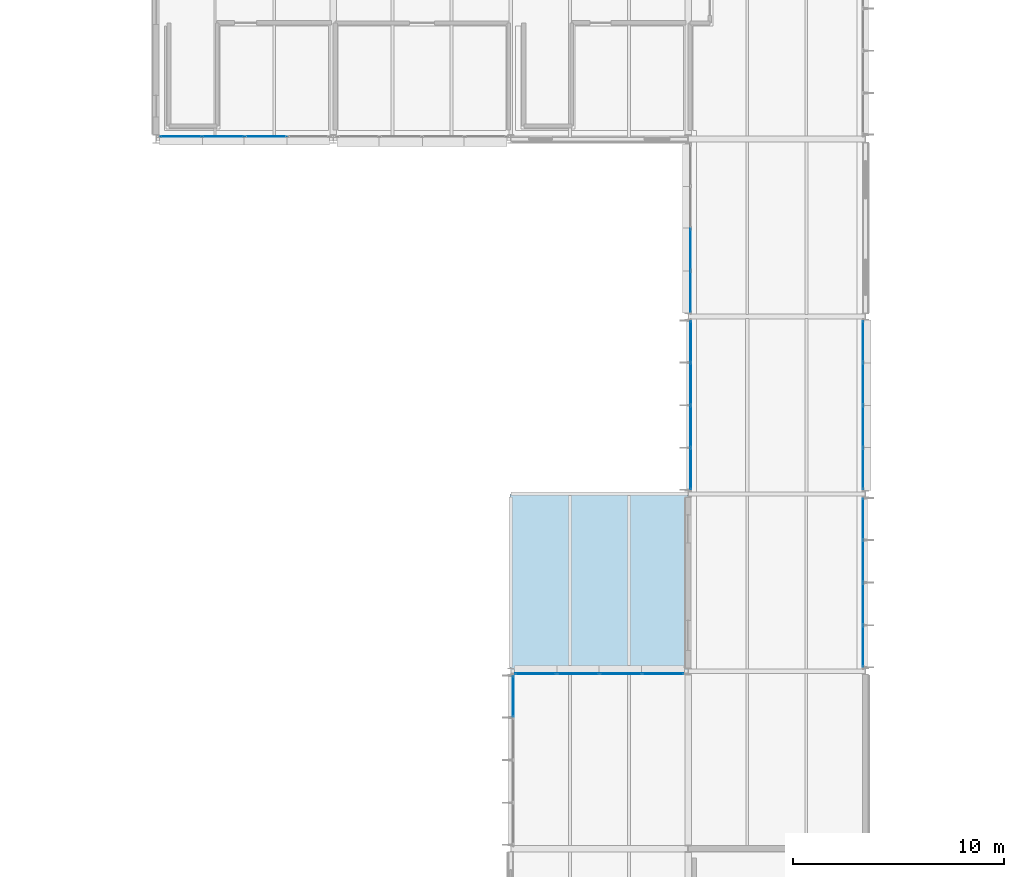
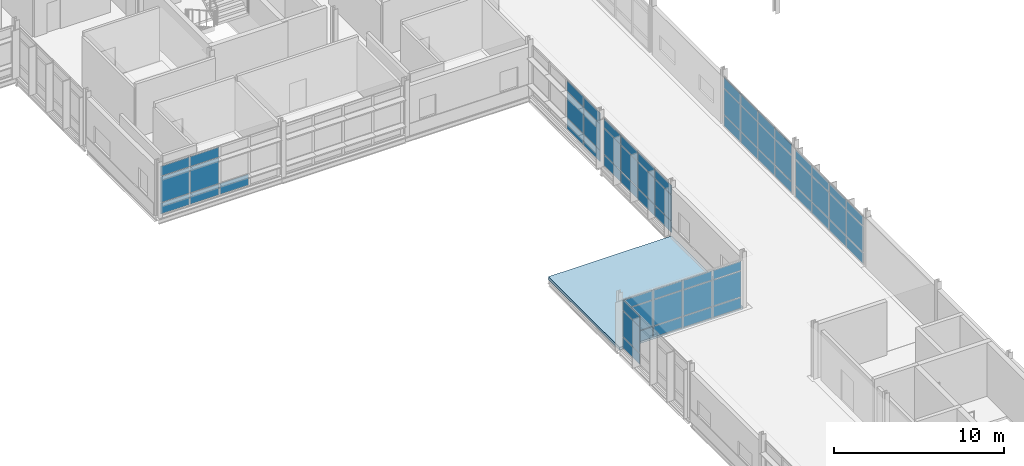
# One storey, part 48 of 66: 64 plates, 1 slab, 7 elements without a shape of their own.
"""IFC4 building model written with IfcOpenShell, lengths in metres."""

from ifc_helpers import new_model, si_unit, direction, frame, origin, origin_2d, place, context, subcontext, project, spatial, polyline, rectangle, outline, extrude, material, layer, layer_set, type_object, element, aggregate, save


model = new_model("IFC4")

# Units and contexts
model_context = context("Model", 3, precision=1e-05, world=origin(), true_north=direction((0.0, 1.0)))
body_context = subcontext(model_context, "Body", "Model", "MODEL_VIEW")
ifc_project = project(units=[si_unit("LENGTHUNIT", "METRE"), si_unit("AREAUNIT", "SQUARE_METRE"), si_unit("VOLUMEUNIT", "CUBIC_METRE"), si_unit("PLANEANGLEUNIT", "RADIAN"), si_unit("MASSUNIT", "GRAM", prefix="KILO")], contexts=[model_context])

# Site, building, storey
site_placement = place(None, origin())
site = spatial("IfcSite", under=ifc_project, at=site_placement, CompositionType="ELEMENT")
building_placement = place(site_placement, origin())
building = spatial("IfcBuilding", under=site, at=building_placement, Name="Mersafa Astral City Hall", CompositionType="ELEMENT")
storey_placement = place(building_placement, frame((0.0, 0.0, 22.050048828125)))
storey = spatial("IfcBuildingStorey", under=building, at=storey_placement, Name="L05", CompositionType="ELEMENT", Elevation=22.050048828125)

# Curtain wall, plates
ifc_material_1 = material(Name="Anodised bronze aluminium framing", Category="aluminium")
curtain_wall_type_1 = type_object("IfcCurtainWallType", Name="ENV-CW-3", PredefinedType="USERDEFINED", material=ifc_material_1)
curtain_wall_1_placement = place(storey_placement, origin())
curtain_wall_1 = element("IfcCurtainWall", 1, at=curtain_wall_1_placement, inside=storey, type_object=curtain_wall_type_1, Name="L05 Unitised solar curtain wall 248", ObjectType="UNITISED CURTAIN WALL", PredefinedType="USERDEFINED")
ifc_material_2 = material(Name="Solar control low-e double glazing", Category="glass")
ifc_layer_1 = layer(ifc_material_2, 0.028076171875, Name="Solar control low-e double glazing")
ifc_layer_set_1 = layer_set([ifc_layer_1], Name="Solar control low-e double glazing — ENV-CW-PNL-GLZ-1")
plate_type_1 = type_object("IfcPlateType", Name="ENV-CW-PNL-GLZ-1", PredefinedType="CURTAIN_PANEL", material=ifc_layer_set_1)
plate_1_placement = place(storey_placement, frame((159.719970703125, 74.41357421875, 0.05810546875), z_axis=(0.0, 0.0, 1.0), x_axis=(0.0, -1.0, 0.0)))
plate_1 = element("IfcPlate", 2, at=plate_1_placement, type_object=plate_type_1, Name="CW-3 panel 1.1", PredefinedType="CURTAIN_PANEL", context=body_context, shape_type="SweptSolid", body=[
    extrude(rectangle(XDim=1.928955078125, YDim=0.028076171875, at=origin_2d()), origin(), (0.0, 0.0, 1.0), 0.761962890625),
])
plate_2_placement = place(storey_placement, frame((159.719970703125, 74.41357421875, 0.8798828125), z_axis=(0.0, 0.0, 1.0), x_axis=(0.0, -1.0, 0.0)))
plate_2 = element("IfcPlate", 3, at=plate_2_placement, type_object=plate_type_1, Name="CW-3 panel 1.2", PredefinedType="CURTAIN_PANEL", context=body_context, shape_type="SweptSolid", body=[
    extrude(rectangle(XDim=1.928955078125, YDim=0.028076171875, at=origin_2d()), origin(), (0.0, 0.0, 1.0), 1.840087890625),
])
plate_3_placement = place(storey_placement, frame((159.719970703125, 74.41357421875, 2.77978515625), z_axis=(0.0, 0.0, 1.0), x_axis=(0.0, -1.0, 0.0)))
plate_3 = element("IfcPlate", 4, at=plate_3_placement, type_object=plate_type_1, Name="CW-3 panel 1.3", PredefinedType="CURTAIN_PANEL", context=body_context, shape_type="SweptSolid", body=[
    extrude(rectangle(XDim=1.928955078125, YDim=0.028076171875, at=origin_2d()), origin(), (0.0, 0.0, 1.0), 0.737060546875),
])
aggregate(curtain_wall_1, [plate_1, plate_2, plate_3])

curtain_wall_type_2 = type_object("IfcCurtainWallType", Name="ENV-CW-6", PredefinedType="USERDEFINED", material=ifc_material_1)
curtain_wall_2_placement = place(storey_placement, origin())
curtain_wall_2 = element("IfcCurtainWall", 5, at=curtain_wall_2_placement, inside=storey, type_object=curtain_wall_type_2, Name="L05 Unitised solar curtain wall 245", ObjectType="UNITISED CURTAIN WALL", PredefinedType="USERDEFINED")
ifc_layer_2 = layer(ifc_material_2, 0.031982421875, Name="Solar control low-e double glazing")
ifc_layer_set_2 = layer_set([ifc_layer_2], Name="Solar control low-e double glazing — ENV-CW-PNL-GLZ-2")
plate_type_2 = type_object("IfcPlateType", Name="ENV-CW-PNL-GLZ-2", PredefinedType="CURTAIN_PANEL", material=ifc_layer_set_2)
plate_4_placement = place(storey_placement, frame((168.1201171875, 95.57177734375, 0.05810546875), z_axis=(0.0, 0.0, 1.0), x_axis=(0.0, -1.0, 0.0)))
plate_4 = element("IfcPlate", 6, at=plate_4_placement, type_object=plate_type_2, Name="CW-6 panel 3.1", PredefinedType="CURTAIN_PANEL", context=body_context, shape_type="SweptSolid", body=[
    extrude(rectangle(XDim=1.946533203125, YDim=0.031982421875, at=origin_2d()), origin(), (0.0, 0.0, 1.0), 0.761962890625),
])
plate_5_placement = place(storey_placement, frame((168.1201171875, 95.57177734375, 0.8798828125), z_axis=(0.0, 0.0, 1.0), x_axis=(0.0, -1.0, 0.0)))
plate_5 = element("IfcPlate", 7, at=plate_5_placement, type_object=plate_type_2, Name="CW-6 panel 3.2", PredefinedType="CURTAIN_PANEL", context=body_context, shape_type="SweptSolid", body=[
    extrude(rectangle(XDim=1.946533203125, YDim=0.031982421875, at=origin_2d()), origin(), (0.0, 0.0, 1.0), 1.840087890625),
])
plate_6_placement = place(storey_placement, frame((168.1201171875, 95.57177734375, 2.77978515625), z_axis=(0.0, 0.0, 1.0), x_axis=(0.0, -1.0, 0.0)))
plate_6 = element("IfcPlate", 8, at=plate_6_placement, type_object=plate_type_2, Name="CW-6 panel 3.3", PredefinedType="CURTAIN_PANEL", context=body_context, shape_type="SweptSolid", body=[
    extrude(rectangle(XDim=1.946533203125, YDim=0.031982421875, at=origin_2d()), origin(), (0.0, 0.0, 1.0), 0.737060546875),
])
plate_7_placement = place(storey_placement, frame((168.1201171875, 93.580322265625, 0.05810546875), z_axis=(0.0, 0.0, 1.0), x_axis=(0.0, -1.0, 0.0)))
plate_7 = element("IfcPlate", 9, at=plate_7_placement, type_object=plate_type_2, Name="CW-6 panel 4.1", PredefinedType="CURTAIN_PANEL", context=body_context, shape_type="SweptSolid", body=[
    extrude(rectangle(XDim=1.91650390625, YDim=0.031982421875, at=origin_2d()), origin(), (0.0, 0.0, 1.0), 0.761962890625),
])
plate_8_placement = place(storey_placement, frame((168.1201171875, 93.580322265625, 0.8798828125), z_axis=(0.0, 0.0, 1.0), x_axis=(0.0, -1.0, 0.0)))
plate_8 = element("IfcPlate", 10, at=plate_8_placement, type_object=plate_type_2, Name="CW-6 panel 4.2", PredefinedType="CURTAIN_PANEL", context=body_context, shape_type="SweptSolid", body=[
    extrude(rectangle(XDim=1.91650390625, YDim=0.031982421875, at=origin_2d()), origin(), (0.0, 0.0, 1.0), 1.840087890625),
])
plate_9_placement = place(storey_placement, frame((168.1201171875, 93.580322265625, 2.77978515625), z_axis=(0.0, 0.0, 1.0), x_axis=(0.0, -1.0, 0.0)))
plate_9 = element("IfcPlate", 11, at=plate_9_placement, type_object=plate_type_2, Name="CW-6 panel 4.3", PredefinedType="CURTAIN_PANEL", context=body_context, shape_type="SweptSolid", body=[
    extrude(rectangle(XDim=1.91650390625, YDim=0.031982421875, at=origin_2d()), origin(), (0.0, 0.0, 1.0), 0.737060546875),
])
aggregate(curtain_wall_2, [plate_4, plate_5, plate_6, plate_7, plate_8, plate_9])

curtain_wall_type_3 = type_object("IfcCurtainWallType", Name="ENV-CW-5", PredefinedType="USERDEFINED", material=ifc_material_1)
curtain_wall_3_placement = place(storey_placement, origin())
curtain_wall_3 = element("IfcCurtainWall", 12, at=curtain_wall_3_placement, inside=storey, type_object=curtain_wall_type_3, Name="L05 Unitised solar curtain wall 226", ObjectType="UNITISED CURTAIN WALL", PredefinedType="USERDEFINED")
ifc_layer_3 = layer(ifc_material_2, 0.035888671875, Name="Solar control low-e double glazing")
ifc_layer_set_3 = layer_set([ifc_layer_3], Name="Solar control low-e double glazing — ENV-CW-PNL-GLZ-3")
plate_type_3 = type_object("IfcPlateType", Name="ENV-CW-PNL-GLZ-3", PredefinedType="CURTAIN_PANEL", material=ifc_layer_set_3)
plate_10_placement = place(storey_placement, frame((176.280029296875, 76.78662109375, 0.05810546875), z_axis=(0.0, 0.0, 1.0), x_axis=(0.0, 1.0, 0.0)))
plate_10 = element("IfcPlate", 13, at=plate_10_placement, type_object=plate_type_3, Name="CW-5 panel 1.1", PredefinedType="CURTAIN_PANEL", context=body_context, shape_type="SweptSolid", body=[
    extrude(rectangle(XDim=1.928955078125, YDim=0.035888671875, at=origin_2d()), origin(), (0.0, 0.0, 1.0), 0.761962890625),
])
plate_11_placement = place(storey_placement, frame((176.280029296875, 76.78662109375, 0.8798828125), z_axis=(0.0, 0.0, 1.0), x_axis=(0.0, 1.0, 0.0)))
plate_11 = element("IfcPlate", 14, at=plate_11_placement, type_object=plate_type_3, Name="CW-5 panel 1.2", PredefinedType="CURTAIN_PANEL", context=body_context, shape_type="SweptSolid", body=[
    extrude(rectangle(XDim=1.928955078125, YDim=0.035888671875, at=origin_2d()), origin(), (0.0, 0.0, 1.0), 1.840087890625),
])
plate_12_placement = place(storey_placement, frame((176.280029296875, 76.78662109375, 2.780029296875), z_axis=(0.0, 0.0, 1.0), x_axis=(0.0, 1.0, 0.0)))
plate_12 = element("IfcPlate", 15, at=plate_12_placement, type_object=plate_type_3, Name="CW-5 panel 1.3", PredefinedType="CURTAIN_PANEL", context=body_context, shape_type="SweptSolid", body=[
    extrude(rectangle(XDim=1.928955078125, YDim=0.035888671875, at=origin_2d()), origin(), (0.0, 0.0, 1.0), 0.64697265625),
])
plate_13_placement = place(storey_placement, frame((176.280029296875, 78.79052734375, 0.05810546875), z_axis=(0.0, 0.0, 1.0), x_axis=(0.0, 1.0, 0.0)))
plate_13 = element("IfcPlate", 16, at=plate_13_placement, type_object=plate_type_3, Name="CW-5 panel 2.1", PredefinedType="CURTAIN_PANEL", context=body_context, shape_type="SweptSolid", body=[
    extrude(rectangle(XDim=1.958984375, YDim=0.035888671875, at=origin_2d()), origin(), (0.0, 0.0, 1.0), 0.761962890625),
])
plate_14_placement = place(storey_placement, frame((176.280029296875, 78.79052734375, 0.8798828125), z_axis=(0.0, 0.0, 1.0), x_axis=(0.0, 1.0, 0.0)))
plate_14 = element("IfcPlate", 17, at=plate_14_placement, type_object=plate_type_3, Name="CW-5 panel 2.2", PredefinedType="CURTAIN_PANEL", context=body_context, shape_type="SweptSolid", body=[
    extrude(rectangle(XDim=1.958984375, YDim=0.035888671875, at=origin_2d()), origin(), (0.0, 0.0, 1.0), 1.840087890625),
])
plate_15_placement = place(storey_placement, frame((176.280029296875, 78.79052734375, 2.780029296875), z_axis=(0.0, 0.0, 1.0), x_axis=(0.0, 1.0, 0.0)))
plate_15 = element("IfcPlate", 18, at=plate_15_placement, type_object=plate_type_3, Name="CW-5 panel 2.3", PredefinedType="CURTAIN_PANEL", context=body_context, shape_type="SweptSolid", body=[
    extrude(rectangle(XDim=1.958984375, YDim=0.035888671875, at=origin_2d()), origin(), (0.0, 0.0, 1.0), 0.64697265625),
])
plate_16_placement = place(storey_placement, frame((176.280029296875, 80.8095703125, 0.05810546875), z_axis=(0.0, 0.0, 1.0), x_axis=(0.0, 1.0, 0.0)))
plate_16 = element("IfcPlate", 19, at=plate_16_placement, type_object=plate_type_3, Name="CW-5 panel 3.1", PredefinedType="CURTAIN_PANEL", context=body_context, shape_type="SweptSolid", body=[
    extrude(rectangle(XDim=1.958984375, YDim=0.035888671875, at=origin_2d()), origin(), (0.0, 0.0, 1.0), 0.761962890625),
])
plate_17_placement = place(storey_placement, frame((176.280029296875, 80.8095703125, 0.8798828125), z_axis=(0.0, 0.0, 1.0), x_axis=(0.0, 1.0, 0.0)))
plate_17 = element("IfcPlate", 20, at=plate_17_placement, type_object=plate_type_3, Name="CW-5 panel 3.2", PredefinedType="CURTAIN_PANEL", context=body_context, shape_type="SweptSolid", body=[
    extrude(rectangle(XDim=1.958984375, YDim=0.035888671875, at=origin_2d()), origin(), (0.0, 0.0, 1.0), 1.840087890625),
])
plate_18_placement = place(storey_placement, frame((176.280029296875, 80.8095703125, 2.780029296875), z_axis=(0.0, 0.0, 1.0), x_axis=(0.0, 1.0, 0.0)))
plate_18 = element("IfcPlate", 21, at=plate_18_placement, type_object=plate_type_3, Name="CW-5 panel 3.3", PredefinedType="CURTAIN_PANEL", context=body_context, shape_type="SweptSolid", body=[
    extrude(rectangle(XDim=1.958984375, YDim=0.035888671875, at=origin_2d()), origin(), (0.0, 0.0, 1.0), 0.64697265625),
])
plate_19_placement = place(storey_placement, frame((176.280029296875, 82.8134765625, 0.05810546875), z_axis=(0.0, 0.0, 1.0), x_axis=(0.0, 1.0, 0.0)))
plate_19 = element("IfcPlate", 22, at=plate_19_placement, type_object=plate_type_3, Name="CW-5 panel 4.1", PredefinedType="CURTAIN_PANEL", context=body_context, shape_type="SweptSolid", body=[
    extrude(rectangle(XDim=1.928955078125, YDim=0.035888671875, at=origin_2d()), origin(), (0.0, 0.0, 1.0), 0.761962890625),
])
plate_20_placement = place(storey_placement, frame((176.280029296875, 82.8134765625, 0.8798828125), z_axis=(0.0, 0.0, 1.0), x_axis=(0.0, 1.0, 0.0)))
plate_20 = element("IfcPlate", 23, at=plate_20_placement, type_object=plate_type_3, Name="CW-5 panel 4.2", PredefinedType="CURTAIN_PANEL", context=body_context, shape_type="SweptSolid", body=[
    extrude(rectangle(XDim=1.928955078125, YDim=0.035888671875, at=origin_2d()), origin(), (0.0, 0.0, 1.0), 1.840087890625),
])
plate_21_placement = place(storey_placement, frame((176.280029296875, 82.8134765625, 2.780029296875), z_axis=(0.0, 0.0, 1.0), x_axis=(0.0, 1.0, 0.0)))
plate_21 = element("IfcPlate", 24, at=plate_21_placement, type_object=plate_type_3, Name="CW-5 panel 4.3", PredefinedType="CURTAIN_PANEL", context=body_context, shape_type="SweptSolid", body=[
    extrude(rectangle(XDim=1.928955078125, YDim=0.035888671875, at=origin_2d()), origin(), (0.0, 0.0, 1.0), 0.64697265625),
])
aggregate(curtain_wall_3, [plate_10, plate_11, plate_12, plate_13, plate_14, plate_15, plate_16, plate_17, plate_18, plate_19, plate_20, plate_21])

curtain_wall_type_4 = type_object("IfcCurtainWallType", Name="ENV-CW-1", PredefinedType="USERDEFINED", material=ifc_material_1)
curtain_wall_4_placement = place(storey_placement, origin())
curtain_wall_4 = element("IfcCurtainWall", 25, at=curtain_wall_4_placement, inside=storey, type_object=curtain_wall_type_4, Name="L05 Unitised solar curtain wall 246", ObjectType="UNITISED CURTAIN WALL", PredefinedType="USERDEFINED")
plate_22_placement = place(storey_placement, frame((168.1201171875, 91.21337890625, 0.05810546875), z_axis=(0.0, 0.0, 1.0), x_axis=(0.0, -1.0, 0.0)))
plate_22 = element("IfcPlate", 26, at=plate_22_placement, type_object=plate_type_3, Name="CW-1 panel 1.1", PredefinedType="CURTAIN_PANEL", context=body_context, shape_type="SweptSolid", body=[
    extrude(rectangle(XDim=1.928955078125, YDim=0.035888671875, at=origin_2d()), origin(), (0.0, 0.0, 1.0), 0.761962890625),
])
plate_23_placement = place(storey_placement, frame((168.1201171875, 91.21337890625, 0.8798828125), z_axis=(0.0, 0.0, 1.0), x_axis=(0.0, -1.0, 0.0)))
plate_23 = element("IfcPlate", 27, at=plate_23_placement, type_object=plate_type_3, Name="CW-1 panel 1.2", PredefinedType="CURTAIN_PANEL", context=body_context, shape_type="SweptSolid", body=[
    extrude(rectangle(XDim=1.928955078125, YDim=0.035888671875, at=origin_2d()), origin(), (0.0, 0.0, 1.0), 1.840087890625),
])
plate_24_placement = place(storey_placement, frame((168.1201171875, 91.21337890625, 2.780029296875), z_axis=(0.0, 0.0, 1.0), x_axis=(0.0, -1.0, 0.0)))
plate_24 = element("IfcPlate", 28, at=plate_24_placement, type_object=plate_type_3, Name="CW-1 panel 1.3", PredefinedType="CURTAIN_PANEL", context=body_context, shape_type="SweptSolid", body=[
    extrude(rectangle(XDim=1.928955078125, YDim=0.035888671875, at=origin_2d()), origin(), (0.0, 0.0, 1.0), 0.64697265625),
])
plate_25_placement = place(storey_placement, frame((168.1201171875, 89.20947265625, 0.05810546875), z_axis=(0.0, 0.0, 1.0), x_axis=(0.0, -1.0, 0.0)))
plate_25 = element("IfcPlate", 29, at=plate_25_placement, type_object=plate_type_3, Name="CW-1 panel 2.1", PredefinedType="CURTAIN_PANEL", context=body_context, shape_type="SweptSolid", body=[
    extrude(rectangle(XDim=1.958984375, YDim=0.035888671875, at=origin_2d()), origin(), (0.0, 0.0, 1.0), 0.761962890625),
])
plate_26_placement = place(storey_placement, frame((168.1201171875, 89.20947265625, 0.8798828125), z_axis=(0.0, 0.0, 1.0), x_axis=(0.0, -1.0, 0.0)))
plate_26 = element("IfcPlate", 30, at=plate_26_placement, type_object=plate_type_3, Name="CW-1 panel 2.2", PredefinedType="CURTAIN_PANEL", context=body_context, shape_type="SweptSolid", body=[
    extrude(rectangle(XDim=1.958984375, YDim=0.035888671875, at=origin_2d()), origin(), (0.0, 0.0, 1.0), 1.840087890625),
])
plate_27_placement = place(storey_placement, frame((168.1201171875, 89.20947265625, 2.780029296875), z_axis=(0.0, 0.0, 1.0), x_axis=(0.0, -1.0, 0.0)))
plate_27 = element("IfcPlate", 31, at=plate_27_placement, type_object=plate_type_3, Name="CW-1 panel 2.3", PredefinedType="CURTAIN_PANEL", context=body_context, shape_type="SweptSolid", body=[
    extrude(rectangle(XDim=1.958984375, YDim=0.035888671875, at=origin_2d()), origin(), (0.0, 0.0, 1.0), 0.64697265625),
])
plate_28_placement = place(storey_placement, frame((168.1201171875, 87.1904296875, 0.05810546875), z_axis=(0.0, 0.0, 1.0), x_axis=(0.0, -1.0, 0.0)))
plate_28 = element("IfcPlate", 32, at=plate_28_placement, type_object=plate_type_3, Name="CW-1 panel 3.1", PredefinedType="CURTAIN_PANEL", context=body_context, shape_type="SweptSolid", body=[
    extrude(rectangle(XDim=1.958984375, YDim=0.035888671875, at=origin_2d()), origin(), (0.0, 0.0, 1.0), 0.761962890625),
])
plate_29_placement = place(storey_placement, frame((168.1201171875, 87.1904296875, 0.8798828125), z_axis=(0.0, 0.0, 1.0), x_axis=(0.0, -1.0, 0.0)))
plate_29 = element("IfcPlate", 33, at=plate_29_placement, type_object=plate_type_3, Name="CW-1 panel 3.2", PredefinedType="CURTAIN_PANEL", context=body_context, shape_type="SweptSolid", body=[
    extrude(rectangle(XDim=1.958984375, YDim=0.035888671875, at=origin_2d()), origin(), (0.0, 0.0, 1.0), 1.840087890625),
])
plate_30_placement = place(storey_placement, frame((168.1201171875, 87.1904296875, 2.780029296875), z_axis=(0.0, 0.0, 1.0), x_axis=(0.0, -1.0, 0.0)))
plate_30 = element("IfcPlate", 34, at=plate_30_placement, type_object=plate_type_3, Name="CW-1 panel 3.3", PredefinedType="CURTAIN_PANEL", context=body_context, shape_type="SweptSolid", body=[
    extrude(rectangle(XDim=1.958984375, YDim=0.035888671875, at=origin_2d()), origin(), (0.0, 0.0, 1.0), 0.64697265625),
])
plate_31_placement = place(storey_placement, frame((168.1201171875, 85.1865234375, 0.05810546875), z_axis=(0.0, 0.0, 1.0), x_axis=(0.0, -1.0, 0.0)))
plate_31 = element("IfcPlate", 35, at=plate_31_placement, type_object=plate_type_3, Name="CW-1 panel 4.1", PredefinedType="CURTAIN_PANEL", context=body_context, shape_type="SweptSolid", body=[
    extrude(rectangle(XDim=1.928955078125, YDim=0.035888671875, at=origin_2d()), origin(), (0.0, 0.0, 1.0), 0.761962890625),
])
plate_32_placement = place(storey_placement, frame((168.1201171875, 85.1865234375, 0.8798828125), z_axis=(0.0, 0.0, 1.0), x_axis=(0.0, -1.0, 0.0)))
plate_32 = element("IfcPlate", 36, at=plate_32_placement, type_object=plate_type_3, Name="CW-1 panel 4.2", PredefinedType="CURTAIN_PANEL", context=body_context, shape_type="SweptSolid", body=[
    extrude(rectangle(XDim=1.928955078125, YDim=0.035888671875, at=origin_2d()), origin(), (0.0, 0.0, 1.0), 1.840087890625),
])
plate_33_placement = place(storey_placement, frame((168.1201171875, 85.1865234375, 2.780029296875), z_axis=(0.0, 0.0, 1.0), x_axis=(0.0, -1.0, 0.0)))
plate_33 = element("IfcPlate", 37, at=plate_33_placement, type_object=plate_type_3, Name="CW-1 panel 4.3", PredefinedType="CURTAIN_PANEL", context=body_context, shape_type="SweptSolid", body=[
    extrude(rectangle(XDim=1.928955078125, YDim=0.035888671875, at=origin_2d()), origin(), (0.0, 0.0, 1.0), 0.64697265625),
])
aggregate(curtain_wall_4, [plate_22, plate_23, plate_24, plate_25, plate_26, plate_27, plate_28, plate_29, plate_30, plate_31, plate_32, plate_33])

curtain_wall_5_placement = place(storey_placement, origin())
curtain_wall_5 = element("IfcCurtainWall", 38, at=curtain_wall_5_placement, inside=storey, type_object=curtain_wall_type_2, Name="L05 Unitised solar curtain wall 227", ObjectType="UNITISED CURTAIN WALL", PredefinedType="USERDEFINED")
ifc_layer_4 = layer(ifc_material_2, 0.0400390625, Name="Solar control low-e double glazing")
ifc_layer_set_4 = layer_set([ifc_layer_4], Name="Solar control low-e double glazing — ENV-CW-PNL-GLZ-4")
plate_type_4 = type_object("IfcPlateType", Name="ENV-CW-PNL-GLZ-4", PredefinedType="CURTAIN_PANEL", material=ifc_layer_set_4)
plate_34_placement = place(storey_placement, frame((176.280029296875, 85.1865234375, 0.05810546875), z_axis=(0.0, 0.0, 1.0), x_axis=(0.0, 1.0, 0.0)))
plate_34 = element("IfcPlate", 39, at=plate_34_placement, type_object=plate_type_4, Name="CW-6 panel 1.1", PredefinedType="CURTAIN_PANEL", context=body_context, shape_type="SweptSolid", body=[
    extrude(rectangle(XDim=1.928955078125, YDim=0.0400390625, at=origin_2d()), origin(), (0.0, 0.0, 1.0), 0.761962890625),
])
plate_35_placement = place(storey_placement, frame((176.280029296875, 85.1865234375, 0.8798828125), z_axis=(0.0, 0.0, 1.0), x_axis=(0.0, 1.0, 0.0)))
plate_35 = element("IfcPlate", 40, at=plate_35_placement, type_object=plate_type_4, Name="CW-6 panel 1.2", PredefinedType="CURTAIN_PANEL", context=body_context, shape_type="SweptSolid", body=[
    extrude(rectangle(XDim=1.928955078125, YDim=0.0400390625, at=origin_2d()), origin(), (0.0, 0.0, 1.0), 1.840087890625),
])
plate_36_placement = place(storey_placement, frame((176.280029296875, 85.1865234375, 2.77978515625), z_axis=(0.0, 0.0, 1.0), x_axis=(0.0, 1.0, 0.0)))
plate_36 = element("IfcPlate", 41, at=plate_36_placement, type_object=plate_type_4, Name="CW-6 panel 1.3", PredefinedType="CURTAIN_PANEL", context=body_context, shape_type="SweptSolid", body=[
    extrude(rectangle(XDim=1.928955078125, YDim=0.0400390625, at=origin_2d()), origin(), (0.0, 0.0, 1.0), 0.737060546875),
])
plate_37_placement = place(storey_placement, frame((176.280029296875, 87.1904296875, 0.05810546875), z_axis=(0.0, 0.0, 1.0), x_axis=(0.0, 1.0, 0.0)))
plate_37 = element("IfcPlate", 42, at=plate_37_placement, type_object=plate_type_4, Name="CW-6 panel 2.1", PredefinedType="CURTAIN_PANEL", context=body_context, shape_type="SweptSolid", body=[
    extrude(rectangle(XDim=1.958984375, YDim=0.0400390625, at=origin_2d()), origin(), (0.0, 0.0, 1.0), 0.761962890625),
])
plate_38_placement = place(storey_placement, frame((176.280029296875, 87.1904296875, 0.8798828125), z_axis=(0.0, 0.0, 1.0), x_axis=(0.0, 1.0, 0.0)))
plate_38 = element("IfcPlate", 43, at=plate_38_placement, type_object=plate_type_4, Name="CW-6 panel 2.2", PredefinedType="CURTAIN_PANEL", context=body_context, shape_type="SweptSolid", body=[
    extrude(rectangle(XDim=1.958984375, YDim=0.0400390625, at=origin_2d()), origin(), (0.0, 0.0, 1.0), 1.840087890625),
])
plate_39_placement = place(storey_placement, frame((176.280029296875, 87.1904296875, 2.77978515625), z_axis=(0.0, 0.0, 1.0), x_axis=(0.0, 1.0, 0.0)))
plate_39 = element("IfcPlate", 44, at=plate_39_placement, type_object=plate_type_4, Name="CW-6 panel 2.3", PredefinedType="CURTAIN_PANEL", context=body_context, shape_type="SweptSolid", body=[
    extrude(rectangle(XDim=1.958984375, YDim=0.0400390625, at=origin_2d()), origin(), (0.0, 0.0, 1.0), 0.737060546875),
])
plate_40_placement = place(storey_placement, frame((176.280029296875, 89.20947265625, 0.05810546875), z_axis=(0.0, 0.0, 1.0), x_axis=(0.0, 1.0, 0.0)))
plate_40 = element("IfcPlate", 45, at=plate_40_placement, type_object=plate_type_4, Name="CW-6 panel 3.1", PredefinedType="CURTAIN_PANEL", context=body_context, shape_type="SweptSolid", body=[
    extrude(rectangle(XDim=1.958984375, YDim=0.0400390625, at=origin_2d()), origin(), (0.0, 0.0, 1.0), 0.761962890625),
])
plate_41_placement = place(storey_placement, frame((176.280029296875, 89.20947265625, 0.8798828125), z_axis=(0.0, 0.0, 1.0), x_axis=(0.0, 1.0, 0.0)))
plate_41 = element("IfcPlate", 46, at=plate_41_placement, type_object=plate_type_4, Name="CW-6 panel 3.2", PredefinedType="CURTAIN_PANEL", context=body_context, shape_type="SweptSolid", body=[
    extrude(rectangle(XDim=1.958984375, YDim=0.0400390625, at=origin_2d()), origin(), (0.0, 0.0, 1.0), 1.840087890625),
])
plate_42_placement = place(storey_placement, frame((176.280029296875, 89.20947265625, 2.77978515625), z_axis=(0.0, 0.0, 1.0), x_axis=(0.0, 1.0, 0.0)))
plate_42 = element("IfcPlate", 47, at=plate_42_placement, type_object=plate_type_4, Name="CW-6 panel 3.3", PredefinedType="CURTAIN_PANEL", context=body_context, shape_type="SweptSolid", body=[
    extrude(rectangle(XDim=1.958984375, YDim=0.0400390625, at=origin_2d()), origin(), (0.0, 0.0, 1.0), 0.737060546875),
])
plate_43_placement = place(storey_placement, frame((176.280029296875, 91.21337890625, 0.05810546875), z_axis=(0.0, 0.0, 1.0), x_axis=(0.0, 1.0, 0.0)))
plate_43 = element("IfcPlate", 48, at=plate_43_placement, type_object=plate_type_4, Name="CW-6 panel 4.1", PredefinedType="CURTAIN_PANEL", context=body_context, shape_type="SweptSolid", body=[
    extrude(rectangle(XDim=1.928955078125, YDim=0.0400390625, at=origin_2d()), origin(), (0.0, 0.0, 1.0), 0.761962890625),
])
plate_44_placement = place(storey_placement, frame((176.280029296875, 91.21337890625, 0.8798828125), z_axis=(0.0, 0.0, 1.0), x_axis=(0.0, 1.0, 0.0)))
plate_44 = element("IfcPlate", 49, at=plate_44_placement, type_object=plate_type_4, Name="CW-6 panel 4.2", PredefinedType="CURTAIN_PANEL", context=body_context, shape_type="SweptSolid", body=[
    extrude(rectangle(XDim=1.928955078125, YDim=0.0400390625, at=origin_2d()), origin(), (0.0, 0.0, 1.0), 1.840087890625),
])
plate_45_placement = place(storey_placement, frame((176.280029296875, 91.21337890625, 2.77978515625), z_axis=(0.0, 0.0, 1.0), x_axis=(0.0, 1.0, 0.0)))
plate_45 = element("IfcPlate", 50, at=plate_45_placement, type_object=plate_type_4, Name="CW-6 panel 4.3", PredefinedType="CURTAIN_PANEL", context=body_context, shape_type="SweptSolid", body=[
    extrude(rectangle(XDim=1.928955078125, YDim=0.0400390625, at=origin_2d()), origin(), (0.0, 0.0, 1.0), 0.737060546875),
])
aggregate(curtain_wall_5, [plate_34, plate_35, plate_36, plate_37, plate_38, plate_39, plate_40, plate_41, plate_42, plate_43, plate_44, plate_45])

curtain_wall_type_5 = type_object("IfcCurtainWallType", Name="ENV-CW-4", PredefinedType="USERDEFINED", material=ifc_material_1)
curtain_wall_6_placement = place(storey_placement, origin())
curtain_wall_6 = element("IfcCurtainWall", 51, at=curtain_wall_6_placement, inside=storey, type_object=curtain_wall_type_5, Name="L05 Unitised solar curtain wall 243", ObjectType="UNITISED CURTAIN WALL", PredefinedType="USERDEFINED")
plate_46_placement = place(storey_placement, frame((143.986572265625, 100.919921875, 0.05810546875), z_axis=(0.0, 0.0, 1.0), x_axis=(1.0, 0.0, 0.0)))
plate_46 = element("IfcPlate", 52, at=plate_46_placement, type_object=plate_type_4, Name="CW-4 panel 1.1", PredefinedType="CURTAIN_PANEL", context=body_context, shape_type="SweptSolid", body=[
    extrude(rectangle(XDim=1.928955078125, YDim=0.0400390625, at=origin_2d()), origin(), (0.0, 0.0, 1.0), 0.761962890625),
])
plate_47_placement = place(storey_placement, frame((143.986572265625, 100.919921875, 0.8798828125), z_axis=(0.0, 0.0, 1.0), x_axis=(1.0, 0.0, 0.0)))
plate_47 = element("IfcPlate", 53, at=plate_47_placement, type_object=plate_type_4, Name="CW-4 panel 1.2", PredefinedType="CURTAIN_PANEL", context=body_context, shape_type="SweptSolid", body=[
    extrude(rectangle(XDim=1.928955078125, YDim=0.0400390625, at=origin_2d()), origin(), (0.0, 0.0, 1.0), 1.840087890625),
])
plate_48_placement = place(storey_placement, frame((143.986572265625, 100.919921875, 2.77978515625), z_axis=(0.0, 0.0, 1.0), x_axis=(1.0, 0.0, 0.0)))
plate_48 = element("IfcPlate", 54, at=plate_48_placement, type_object=plate_type_4, Name="CW-4 panel 1.3", PredefinedType="CURTAIN_PANEL", context=body_context, shape_type="SweptSolid", body=[
    extrude(rectangle(XDim=1.928955078125, YDim=0.0400390625, at=origin_2d()), origin(), (0.0, 0.0, 1.0), 0.701904296875),
])
plate_49_placement = place(storey_placement, frame((145.990478515625, 100.919921875, 0.05810546875), z_axis=(0.0, 0.0, 1.0), x_axis=(1.0, 0.0, 0.0)))
plate_49 = element("IfcPlate", 55, at=plate_49_placement, type_object=plate_type_4, Name="CW-4 panel 2.1", PredefinedType="CURTAIN_PANEL", context=body_context, shape_type="SweptSolid", body=[
    extrude(rectangle(XDim=1.958984375, YDim=0.0400390625, at=origin_2d()), origin(), (0.0, 0.0, 1.0), 0.761962890625),
])
plate_50_placement = place(storey_placement, frame((145.990478515625, 100.919921875, 0.8798828125), z_axis=(0.0, 0.0, 1.0), x_axis=(1.0, 0.0, 0.0)))
plate_50 = element("IfcPlate", 56, at=plate_50_placement, type_object=plate_type_4, Name="CW-4 panel 2.2", PredefinedType="CURTAIN_PANEL", context=body_context, shape_type="SweptSolid", body=[
    extrude(rectangle(XDim=1.958984375, YDim=0.0400390625, at=origin_2d()), origin(), (0.0, 0.0, 1.0), 1.840087890625),
])
plate_51_placement = place(storey_placement, frame((145.990478515625, 100.919921875, 2.77978515625), z_axis=(0.0, 0.0, 1.0), x_axis=(1.0, 0.0, 0.0)))
plate_51 = element("IfcPlate", 57, at=plate_51_placement, type_object=plate_type_4, Name="CW-4 panel 2.3", PredefinedType="CURTAIN_PANEL", context=body_context, shape_type="SweptSolid", body=[
    extrude(rectangle(XDim=1.958984375, YDim=0.0400390625, at=origin_2d()), origin(), (0.0, 0.0, 1.0), 0.701904296875),
])
plate_52_placement = place(storey_placement, frame((148.009521484375, 100.919921875, 0.05810546875), z_axis=(0.0, 0.0, 1.0), x_axis=(1.0, 0.0, 0.0)))
plate_52 = element("IfcPlate", 58, at=plate_52_placement, type_object=plate_type_4, Name="CW-4 panel 3.1", PredefinedType="CURTAIN_PANEL", context=body_context, shape_type="SweptSolid", body=[
    extrude(rectangle(XDim=1.958984375, YDim=0.0400390625, at=origin_2d()), origin(), (0.0, 0.0, 1.0), 0.761962890625),
])
aggregate(curtain_wall_6, [plate_46, plate_47, plate_48, plate_49, plate_50, plate_51, plate_52])

curtain_wall_type_6 = type_object("IfcCurtainWallType", Name="ENV-CW-2", PredefinedType="USERDEFINED", material=ifc_material_1)
curtain_wall_7_placement = place(storey_placement, origin())
curtain_wall_7 = element("IfcCurtainWall", 59, at=curtain_wall_7_placement, inside=storey, type_object=curtain_wall_type_6, Name="L05 Unitised solar curtain wall 247", ObjectType="UNITISED CURTAIN WALL", PredefinedType="USERDEFINED")
plate_53_placement = place(storey_placement, frame((166.8134765625, 75.47998046875, 0.05810546875), z_axis=(0.0, 0.0, 1.0), x_axis=(-1.0, 0.0, 0.0)))
plate_53 = element("IfcPlate", 60, at=plate_53_placement, type_object=plate_type_4, Name="CW-2 panel 1.1", PredefinedType="CURTAIN_PANEL", context=body_context, shape_type="SweptSolid", body=[
    extrude(rectangle(XDim=1.928955078125, YDim=0.0400390625, at=origin_2d()), origin(), (0.0, 0.0, 1.0), 0.761962890625),
])
plate_54_placement = place(storey_placement, frame((166.8134765625, 75.47998046875, 0.8798828125), z_axis=(0.0, 0.0, 1.0), x_axis=(-1.0, 0.0, 0.0)))
plate_54 = element("IfcPlate", 61, at=plate_54_placement, type_object=plate_type_4, Name="CW-2 panel 1.2", PredefinedType="CURTAIN_PANEL", context=body_context, shape_type="SweptSolid", body=[
    extrude(rectangle(XDim=1.928955078125, YDim=0.0400390625, at=origin_2d()), origin(), (0.0, 0.0, 1.0), 1.840087890625),
])
plate_55_placement = place(storey_placement, frame((166.8134765625, 75.47998046875, 2.780029296875), z_axis=(0.0, 0.0, 1.0), x_axis=(-1.0, 0.0, 0.0)))
plate_55 = element("IfcPlate", 62, at=plate_55_placement, type_object=plate_type_4, Name="CW-2 panel 1.3", PredefinedType="CURTAIN_PANEL", context=body_context, shape_type="SweptSolid", body=[
    extrude(rectangle(XDim=1.928955078125, YDim=0.0400390625, at=origin_2d()), origin(), (0.0, 0.0, 1.0), 0.64697265625),
])
plate_56_placement = place(storey_placement, frame((164.8095703125, 75.47998046875, 0.05810546875), z_axis=(0.0, 0.0, 1.0), x_axis=(-1.0, 0.0, 0.0)))
plate_56 = element("IfcPlate", 63, at=plate_56_placement, type_object=plate_type_4, Name="CW-2 panel 2.1", PredefinedType="CURTAIN_PANEL", context=body_context, shape_type="SweptSolid", body=[
    extrude(rectangle(XDim=1.958984375, YDim=0.0400390625, at=origin_2d()), origin(), (0.0, 0.0, 1.0), 0.761962890625),
])
plate_57_placement = place(storey_placement, frame((164.8095703125, 75.47998046875, 0.8798828125), z_axis=(0.0, 0.0, 1.0), x_axis=(-1.0, 0.0, 0.0)))
plate_57 = element("IfcPlate", 64, at=plate_57_placement, type_object=plate_type_4, Name="CW-2 panel 2.2", PredefinedType="CURTAIN_PANEL", context=body_context, shape_type="SweptSolid", body=[
    extrude(rectangle(XDim=1.958984375, YDim=0.0400390625, at=origin_2d()), origin(), (0.0, 0.0, 1.0), 1.840087890625),
])
plate_58_placement = place(storey_placement, frame((164.8095703125, 75.47998046875, 2.780029296875), z_axis=(0.0, 0.0, 1.0), x_axis=(-1.0, 0.0, 0.0)))
plate_58 = element("IfcPlate", 65, at=plate_58_placement, type_object=plate_type_4, Name="CW-2 panel 2.3", PredefinedType="CURTAIN_PANEL", context=body_context, shape_type="SweptSolid", body=[
    extrude(rectangle(XDim=1.958984375, YDim=0.0400390625, at=origin_2d()), origin(), (0.0, 0.0, 1.0), 0.64697265625),
])
plate_59_placement = place(storey_placement, frame((162.79052734375, 75.47998046875, 0.05810546875), z_axis=(0.0, 0.0, 1.0), x_axis=(-1.0, 0.0, 0.0)))
plate_59 = element("IfcPlate", 66, at=plate_59_placement, type_object=plate_type_4, Name="CW-2 panel 3.1", PredefinedType="CURTAIN_PANEL", context=body_context, shape_type="SweptSolid", body=[
    extrude(rectangle(XDim=1.958984375, YDim=0.0400390625, at=origin_2d()), origin(), (0.0, 0.0, 1.0), 0.761962890625),
])
plate_60_placement = place(storey_placement, frame((162.79052734375, 75.47998046875, 0.8798828125), z_axis=(0.0, 0.0, 1.0), x_axis=(-1.0, 0.0, 0.0)))
plate_60 = element("IfcPlate", 67, at=plate_60_placement, type_object=plate_type_4, Name="CW-2 panel 3.2", PredefinedType="CURTAIN_PANEL", context=body_context, shape_type="SweptSolid", body=[
    extrude(rectangle(XDim=1.958984375, YDim=0.0400390625, at=origin_2d()), origin(), (0.0, 0.0, 1.0), 1.840087890625),
])
plate_61_placement = place(storey_placement, frame((162.79052734375, 75.47998046875, 2.780029296875), z_axis=(0.0, 0.0, 1.0), x_axis=(-1.0, 0.0, 0.0)))
plate_61 = element("IfcPlate", 68, at=plate_61_placement, type_object=plate_type_4, Name="CW-2 panel 3.3", PredefinedType="CURTAIN_PANEL", context=body_context, shape_type="SweptSolid", body=[
    extrude(rectangle(XDim=1.958984375, YDim=0.0400390625, at=origin_2d()), origin(), (0.0, 0.0, 1.0), 0.64697265625),
])
plate_62_placement = place(storey_placement, frame((160.78662109375, 75.47998046875, 0.05810546875), z_axis=(0.0, 0.0, 1.0), x_axis=(-1.0, 0.0, 0.0)))
plate_62 = element("IfcPlate", 69, at=plate_62_placement, type_object=plate_type_4, Name="CW-2 panel 4.1", PredefinedType="CURTAIN_PANEL", context=body_context, shape_type="SweptSolid", body=[
    extrude(rectangle(XDim=1.928955078125, YDim=0.0400390625, at=origin_2d()), origin(), (0.0, 0.0, 1.0), 0.761962890625),
])
plate_63_placement = place(storey_placement, frame((160.78662109375, 75.47998046875, 0.8798828125), z_axis=(0.0, 0.0, 1.0), x_axis=(-1.0, 0.0, 0.0)))
plate_63 = element("IfcPlate", 70, at=plate_63_placement, type_object=plate_type_4, Name="CW-2 panel 4.2", PredefinedType="CURTAIN_PANEL", context=body_context, shape_type="SweptSolid", body=[
    extrude(rectangle(XDim=1.928955078125, YDim=0.0400390625, at=origin_2d()), origin(), (0.0, 0.0, 1.0), 1.840087890625),
])
plate_64_placement = place(storey_placement, frame((160.78662109375, 75.47998046875, 2.780029296875), z_axis=(0.0, 0.0, 1.0), x_axis=(-1.0, 0.0, 0.0)))
plate_64 = element("IfcPlate", 71, at=plate_64_placement, type_object=plate_type_4, Name="CW-2 panel 4.3", PredefinedType="CURTAIN_PANEL", context=body_context, shape_type="SweptSolid", body=[
    extrude(rectangle(XDim=1.928955078125, YDim=0.0400390625, at=origin_2d()), origin(), (0.0, 0.0, 1.0), 0.64697265625),
])
aggregate(curtain_wall_7, [plate_53, plate_54, plate_55, plate_56, plate_57, plate_58, plate_59, plate_60, plate_61, plate_62, plate_63, plate_64])

# Slab
ifc_material_3 = material(Name="Concrete C40/50", Category="concrete")
ifc_layer_5 = layer(ifc_material_3, 0.199951171875, Name="Concrete C40/50")
ifc_layer_set_5 = layer_set([ifc_layer_5], Name="Concrete C40/50 — STR-SLAB-ROOF-200")
slab_type = type_object("IfcSlabType", Name="STR-SLAB-ROOF-200", PredefinedType="ROOF", material=ifc_layer_set_5)
slab_placement = place(storey_placement, frame((0.0, 0.0, -0.199951171875)))
element("IfcSlab", 72, at=slab_placement, inside=storey, type_object=slab_type, Name="L05 Flat structural wing roof slab 3", PredefinedType="ROOF", context=body_context, shape_type="SweptSolid", body=[
    extrude(outline(polyline([(167.991943359375, 84.0), (167.991943359375, 75.60791015625), (159.60009765625, 75.60791015625), (159.60009765625, 84.0), (167.991943359375, 84.0)])), origin(), (0.0, 0.0, 1.0), 0.199951171875),
])

save(model, "model.ifc")
